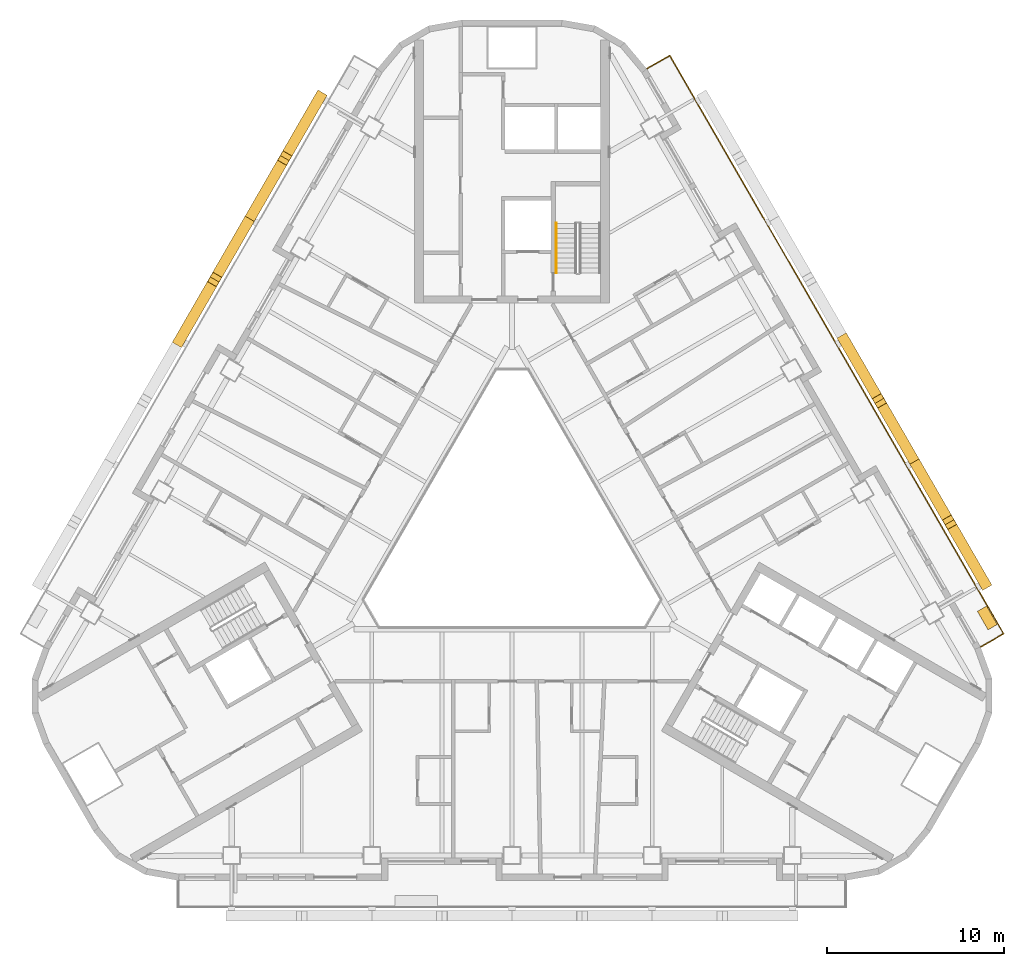
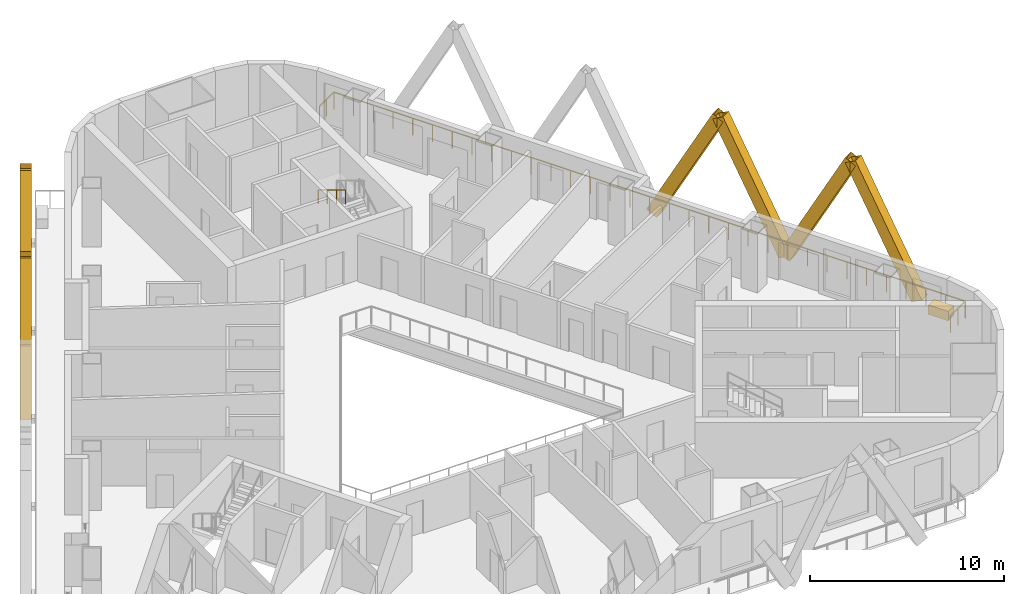
# One storey, part 16 of 17: 8 shading devices, 2 railings, 1 covering.
"""IFC4 building model written with IfcOpenShell, lengths in metres."""

from ifc_helpers import new_model, si_unit, direction, frame, origin, origin_2d, place, context, subcontext, project, spatial, rectangle, hollow_rectangle, circle, extrude, material, material_profile, profile_set, type_object, element, save


model = new_model("IFC4")

# Units and contexts
model_context = context("Model", 3, precision=1e-05, world=origin(), true_north=direction((0.0, 1.0)))
body_context = subcontext(model_context, "Body", "Model", "MODEL_VIEW")
ifc_project = project(units=[si_unit("LENGTHUNIT", "METRE"), si_unit("AREAUNIT", "SQUARE_METRE"), si_unit("VOLUMEUNIT", "CUBIC_METRE"), si_unit("PLANEANGLEUNIT", "RADIAN"), si_unit("MASSUNIT", "GRAM", prefix="KILO")], contexts=[model_context])

# Site, building, storey
site_placement = place(None, origin())
site = spatial("IfcSite", under=ifc_project, at=site_placement, CompositionType="ELEMENT")
building_placement = place(site_placement, origin())
building = spatial("IfcBuilding", under=site, at=building_placement, Name="Apuvela Tower Hotel", CompositionType="ELEMENT")
storey_placement = place(building_placement, frame((0.0, 0.0, 46.5)))
storey = spatial("IfcBuildingStorey", under=building, at=storey_placement, Name="L08", CompositionType="ELEMENT", Elevation=46.5)

# Railing
ifc_material_1 = material(Name="Stainless steel 316 handrail", Category="steel")
railing_type_1 = type_object("IfcRailingType", Name="COR-HANDRAIL-900", PredefinedType="HANDRAIL", material=ifc_material_1)
railing_1_placement = place(storey_placement, frame((2.5, 17.39990234375, 2.01806640625)))
element("IfcRailing", 1, at=railing_1_placement, inside=storey, type_object=railing_type_1, Name="L08 ST1 stair handrail 2", PredefinedType="HANDRAIL", context=body_context, shape_type="SweptSolid", body=[
    extrude(circle(Radius=0.02392578125, at=origin_2d()), frame((0.0, 0.0, 0.8759765625), z_axis=(0.0, -0.857222391501, 0.514946377315), x_axis=(1.0, 0.0, 0.0)), (0.0, 0.0, 1.0), 3.26611328125),
    extrude(rectangle(XDim=0.0419921875, YDim=0.0419921875, at=origin_2d()), origin(), (0.0, 0.0, 1.0), 0.851806640625),
    extrude(rectangle(XDim=0.0419921875, YDim=0.0419921875, at=origin_2d()), frame((0.0, -0.933349609375, 0.560546875)), (0.0, 0.0, 1.0), 0.851806640625),
    extrude(rectangle(XDim=0.0419921875, YDim=0.0419921875, at=origin_2d()), frame((0.0, -1.866455078125, 1.121337890625)), (0.0, 0.0, 1.0), 0.851806640625),
    extrude(rectangle(XDim=0.0419921875, YDim=0.0419921875, at=origin_2d()), frame((0.0, -2.7998046875, 1.681884765625)), (0.0, 0.0, 1.0), 0.851806640625),
])

# Shading devices
ifc_material_2 = material(Name="Aluminium 6063-T6, black anodised", Category="aluminium")
ifc_material_profile = material_profile(ifc_material_2, hollow_rectangle(XDim=0.60009765625, YDim=0.699951171875, WallThickness=0.011962890625, at=origin_2d()), Name="AL BOX 700x600x12")
ifc_profile_set = profile_set([ifc_material_profile], Name="Aluminium 6063-T6, black anodised")
shading_device_type = type_object("IfcShadingDeviceType", Name="ENV-FIN-700x600", PredefinedType="USERDEFINED", material=ifc_profile_set)
for number, where, z_axis, x_axis, name in (
    (2, (26.632080078125, -2.8681640625, -0.10009765625), (-0.235457834389, 0.407787356937, 0.88219560175), (-0.866005453737, -0.500034552904, 0.0), "Lattice fin NE49"),
    (3, (22.68212890625, 3.973388671875, -0.10009765625), (0.235427548578, -0.407814415956, 0.882191176281), (0.866047669374, 0.499961432884, 0.0), "Lattice fin NE50"),
    (4, (22.68212890625, 3.973388671875, -0.10009765625), (-0.235455039791, 0.407811621453, 0.882185131163), (-0.866020906874, -0.500007788796, 0.0), "Lattice fin NE51"),
):
    element("IfcShadingDevice", number, at=place(storey_placement, frame(where, z_axis=z_axis, x_axis=x_axis)), inside=storey, type_object=shading_device_type, Name=name, ObjectType="FIN", PredefinedType="USERDEFINED", context=body_context, shape_type="SweptSolid", body=[
        extrude(hollow_rectangle(XDim=0.60009765625, YDim=0.699951171875, WallThickness=0.011962890625, at=origin_2d()), origin(), (0.0, 0.0, 1.0), 8.388427734375),
    ])
shading_device_placement = place(storey_placement, frame((18.732177734375, 10.81494140625, -0.10009765625), z_axis=(0.235430342887, -0.407790151341, 0.882201647084), x_axis=(0.866032218625, 0.499988196164, 0.0)))
element("IfcShadingDevice", 5, at=shading_device_placement, inside=storey, type_object=shading_device_type, Name="Lattice fin NE52", ObjectType="FIN", PredefinedType="USERDEFINED", context=body_context, shape_type="SweptSolid", body=[
    extrude(hollow_rectangle(XDim=0.60009765625, YDim=0.699951171875, WallThickness=0.011962890625, at=origin_2d()), origin(), (0.0, 0.0, 1.0), 8.38818359375),
])
for number, where, z_axis, x_axis, name in (
    (6, (-10.83203125, 24.498291015625, -0.10009765625), (-0.235455039791, -0.407811621453, 0.882185131163), (0.866020906874, -0.500007788796, 0.0), "Lattice fin NW97"),
    (7, (-14.781982421875, 17.656494140625, -0.10009765625), (0.235427548578, 0.407814415956, 0.882191176281), (-0.866047669374, 0.499961432884, 0.0), "Lattice fin NW98"),
    (8, (-14.781982421875, 17.656494140625, -0.10009765625), (-0.235457834389, -0.407787356937, 0.88219560175), (0.866005453737, -0.500034552904, 0.0), "Lattice fin NW99"),
    (9, (-18.732177734375, 10.81494140625, -0.10009765625), (0.235455039791, 0.407811621453, 0.882185131163), (-0.866020906874, 0.500007788796, 0.0), "Lattice fin NW100"),
):
    element("IfcShadingDevice", number, at=place(storey_placement, frame(where, z_axis=z_axis, x_axis=x_axis)), inside=storey, type_object=shading_device_type, Name=name, ObjectType="FIN", PredefinedType="USERDEFINED", context=body_context, shape_type="SweptSolid", body=[
        extrude(hollow_rectangle(XDim=0.60009765625, YDim=0.699951171875, WallThickness=0.011962890625, at=origin_2d()), origin(), (0.0, 0.0, 1.0), 8.388427734375),
    ])

# Railing
ifc_material_3 = material(Name="Stainless steel 316 rail with laminated glass infill", Category="steel")
railing_type_2 = type_object("IfcRailingType", Name="ENV-GUARD-1100", PredefinedType="GUARDRAIL", material=ifc_material_3)
railing_2_placement = place(storey_placement, frame((26.407958984375, -6.47998046875, 0.0)))
element("IfcRailing", 10, at=railing_2_placement, inside=storey, type_object=railing_type_2, Name="Balcony guard NE L08", PredefinedType="GUARDRAIL", context=body_context, shape_type="SweptSolid", body=[
    extrude(rectangle(XDim=0.050048828125, YDim=0.050048828125, at=origin_2d()), frame((0.0, 0.0, 1.0751953125), z_axis=(0.866031096941, 0.499990139034, 0.0), x_axis=(-0.499990139034, 0.866031096941, 0.0)), (0.0, 0.0, 1.0), 1.5),
    extrude(rectangle(XDim=0.050048828125, YDim=0.050048828125, at=origin_2d()), frame((1.299072265625, 0.75, 1.0751953125), z_axis=(-0.500000437506, 0.86602515119, 0.0), x_axis=(-0.86602515119, -0.500000437506, 0.0)), (0.0, 0.0, 1.0), 37.6318359375),
    extrude(rectangle(XDim=0.050048828125, YDim=0.050048828125, at=origin_2d()), frame((-17.516845703125, 33.340087890625, 1.0751953125), z_axis=(-0.86599040064, -0.500060622324, 0.0), x_axis=(0.500060622324, -0.86599040064, 0.0)), (0.0, 0.0, 1.0), 1.499755859375),
    extrude(rectangle(XDim=0.0400390625, YDim=0.0400390625, at=origin_2d()), origin(), (0.0, 0.0, 1.0), 1.050048828125),
    extrude(rectangle(XDim=0.0400390625, YDim=0.0400390625, at=origin_2d()), frame((0.6494140625, 0.375, 0.0)), (0.0, 0.0, 1.0), 1.050048828125),
    extrude(rectangle(XDim=0.0400390625, YDim=0.0400390625, at=origin_2d()), frame((1.299072265625, 0.75, 0.0)), (0.0, 0.0, 1.0), 1.050048828125),
    extrude(rectangle(XDim=0.0400390625, YDim=0.0400390625, at=origin_2d()), frame((0.711181640625, 1.7685546875, 0.0)), (0.0, 0.0, 1.0), 1.050048828125),
    extrude(rectangle(XDim=0.0400390625, YDim=0.0400390625, at=origin_2d()), frame((0.123046875, 2.786865234375, 0.0)), (0.0, 0.0, 1.0), 1.050048828125),
    extrude(rectangle(XDim=0.0400390625, YDim=0.0400390625, at=origin_2d()), frame((-0.46484375, 3.805419921875, 0.0)), (0.0, 0.0, 1.0), 1.050048828125),
    extrude(rectangle(XDim=0.0400390625, YDim=0.0400390625, at=origin_2d()), frame((-1.052978515625, 4.82373046875, 0.0)), (0.0, 0.0, 1.0), 1.050048828125),
    extrude(rectangle(XDim=0.0400390625, YDim=0.0400390625, at=origin_2d()), frame((-1.640869140625, 5.84228515625, 0.0)), (0.0, 0.0, 1.0), 1.050048828125),
    extrude(rectangle(XDim=0.0400390625, YDim=0.0400390625, at=origin_2d()), frame((-2.22900390625, 6.860595703125, 0.0)), (0.0, 0.0, 1.0), 1.050048828125),
    extrude(rectangle(XDim=0.0400390625, YDim=0.0400390625, at=origin_2d()), frame((-2.81689453125, 7.879150390625, 0.0)), (0.0, 0.0, 1.0), 1.050048828125),
    extrude(rectangle(XDim=0.0400390625, YDim=0.0400390625, at=origin_2d()), frame((-3.40478515625, 8.8974609375, 0.0)), (0.0, 0.0, 1.0), 1.050048828125),
    extrude(rectangle(XDim=0.0400390625, YDim=0.0400390625, at=origin_2d()), frame((-3.992919921875, 9.916015625, 0.0)), (0.0, 0.0, 1.0), 1.050048828125),
    extrude(rectangle(XDim=0.0400390625, YDim=0.0400390625, at=origin_2d()), frame((-4.580810546875, 10.934326171875, 0.0)), (0.0, 0.0, 1.0), 1.050048828125),
    extrude(rectangle(XDim=0.0400390625, YDim=0.0400390625, at=origin_2d()), frame((-5.1689453125, 11.952880859375, 0.0)), (0.0, 0.0, 1.0), 1.050048828125),
    extrude(rectangle(XDim=0.0400390625, YDim=0.0400390625, at=origin_2d()), frame((-5.7568359375, 12.97119140625, 0.0)), (0.0, 0.0, 1.0), 1.050048828125),
    extrude(rectangle(XDim=0.0400390625, YDim=0.0400390625, at=origin_2d()), frame((-6.344970703125, 13.98974609375, 0.0)), (0.0, 0.0, 1.0), 1.050048828125),
    extrude(rectangle(XDim=0.0400390625, YDim=0.0400390625, at=origin_2d()), frame((-6.932861328125, 15.008056640625, 0.0)), (0.0, 0.0, 1.0), 1.050048828125),
    extrude(rectangle(XDim=0.0400390625, YDim=0.0400390625, at=origin_2d()), frame((-7.52099609375, 16.026611328125, 0.0)), (0.0, 0.0, 1.0), 1.050048828125),
    extrude(rectangle(XDim=0.0400390625, YDim=0.0400390625, at=origin_2d()), frame((-8.10888671875, 17.044921875, 0.0)), (0.0, 0.0, 1.0), 1.050048828125),
    extrude(rectangle(XDim=0.0400390625, YDim=0.0400390625, at=origin_2d()), frame((-8.69677734375, 18.0634765625, 0.0)), (0.0, 0.0, 1.0), 1.050048828125),
    extrude(rectangle(XDim=0.0400390625, YDim=0.0400390625, at=origin_2d()), frame((-9.284912109375, 19.08203125, 0.0)), (0.0, 0.0, 1.0), 1.050048828125),
    extrude(rectangle(XDim=0.0400390625, YDim=0.0400390625, at=origin_2d()), frame((-9.872802734375, 20.100341796875, 0.0)), (0.0, 0.0, 1.0), 1.050048828125),
    extrude(rectangle(XDim=0.0400390625, YDim=0.0400390625, at=origin_2d()), frame((-10.4609375, 21.118896484375, 0.0)), (0.0, 0.0, 1.0), 1.050048828125),
    extrude(rectangle(XDim=0.0400390625, YDim=0.0400390625, at=origin_2d()), frame((-11.048828125, 22.13720703125, 0.0)), (0.0, 0.0, 1.0), 1.050048828125),
    extrude(rectangle(XDim=0.0400390625, YDim=0.0400390625, at=origin_2d()), frame((-11.636962890625, 23.15576171875, 0.0)), (0.0, 0.0, 1.0), 1.050048828125),
    extrude(rectangle(XDim=0.0400390625, YDim=0.0400390625, at=origin_2d()), frame((-12.224853515625, 24.174072265625, 0.0)), (0.0, 0.0, 1.0), 1.050048828125),
    extrude(rectangle(XDim=0.0400390625, YDim=0.0400390625, at=origin_2d()), frame((-12.81298828125, 25.192626953125, 0.0)), (0.0, 0.0, 1.0), 1.050048828125),
    extrude(rectangle(XDim=0.0400390625, YDim=0.0400390625, at=origin_2d()), frame((-13.40087890625, 26.2109375, 0.0)), (0.0, 0.0, 1.0), 1.050048828125),
    extrude(rectangle(XDim=0.0400390625, YDim=0.0400390625, at=origin_2d()), frame((-13.98876953125, 27.2294921875, 0.0)), (0.0, 0.0, 1.0), 1.050048828125),
    extrude(rectangle(XDim=0.0400390625, YDim=0.0400390625, at=origin_2d()), frame((-14.576904296875, 28.247802734375, 0.0)), (0.0, 0.0, 1.0), 1.050048828125),
    extrude(rectangle(XDim=0.0400390625, YDim=0.0400390625, at=origin_2d()), frame((-15.164794921875, 29.266357421875, 0.0)), (0.0, 0.0, 1.0), 1.050048828125),
    extrude(rectangle(XDim=0.0400390625, YDim=0.0400390625, at=origin_2d()), frame((-15.7529296875, 30.28466796875, 0.0)), (0.0, 0.0, 1.0), 1.050048828125),
    extrude(rectangle(XDim=0.0400390625, YDim=0.0400390625, at=origin_2d()), frame((-16.3408203125, 31.30322265625, 0.0)), (0.0, 0.0, 1.0), 1.050048828125),
    extrude(rectangle(XDim=0.0400390625, YDim=0.0400390625, at=origin_2d()), frame((-16.928955078125, 32.321533203125, 0.0)), (0.0, 0.0, 1.0), 1.050048828125),
    extrude(rectangle(XDim=0.0400390625, YDim=0.0400390625, at=origin_2d()), frame((-17.516845703125, 33.340087890625, 0.0)), (0.0, 0.0, 1.0), 1.050048828125),
    extrude(rectangle(XDim=0.0400390625, YDim=0.0400390625, at=origin_2d()), frame((-18.166259765625, 32.965087890625, 0.0)), (0.0, 0.0, 1.0), 1.050048828125),
    extrude(rectangle(XDim=0.0400390625, YDim=0.0400390625, at=origin_2d()), frame((-18.815673828125, 32.590087890625, 0.0)), (0.0, 0.0, 1.0), 1.050048828125),
])

# Covering
ifc_material_4 = material(Name="Planting substrate and soil, planted")
covering_type = type_object("IfcCoveringType", Name="ENV-PLANTER-1200x600", PredefinedType="USERDEFINED", material=ifc_material_4)
covering_placement = place(storey_placement, frame((26.788818359375, -4.839599609375, 0.0), z_axis=(0.0, 0.0, 1.0), x_axis=(-0.5, 0.866025403784, 0.0)))
element("IfcCovering", 11, at=covering_placement, inside=storey, type_object=covering_type, Name="Planter NE2", ObjectType="PLANTER", PredefinedType="USERDEFINED", context=body_context, shape_type="SweptSolid", body=[
    extrude(rectangle(XDim=1.199951171875, YDim=0.60009765625, at=origin_2d()), origin(), (0.0, 0.0, 1.0), 0.60009765625),
])

save(model, "model.ifc")
